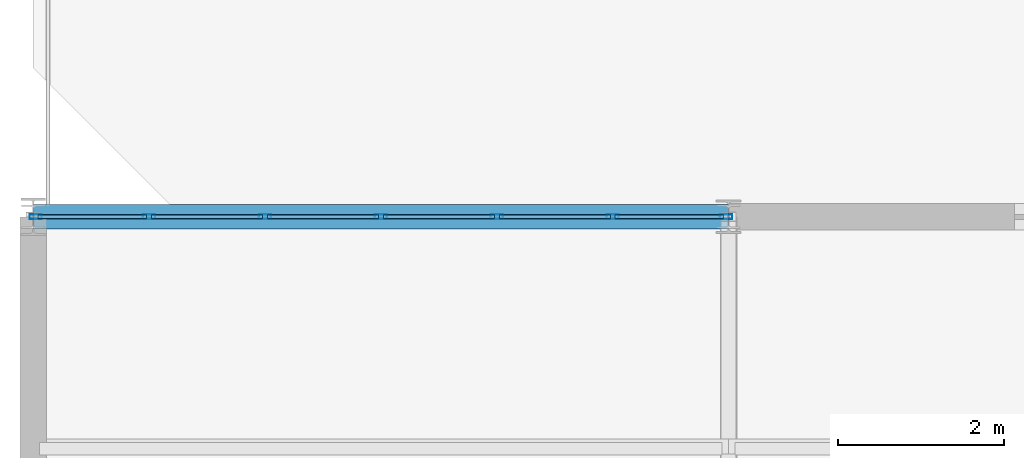
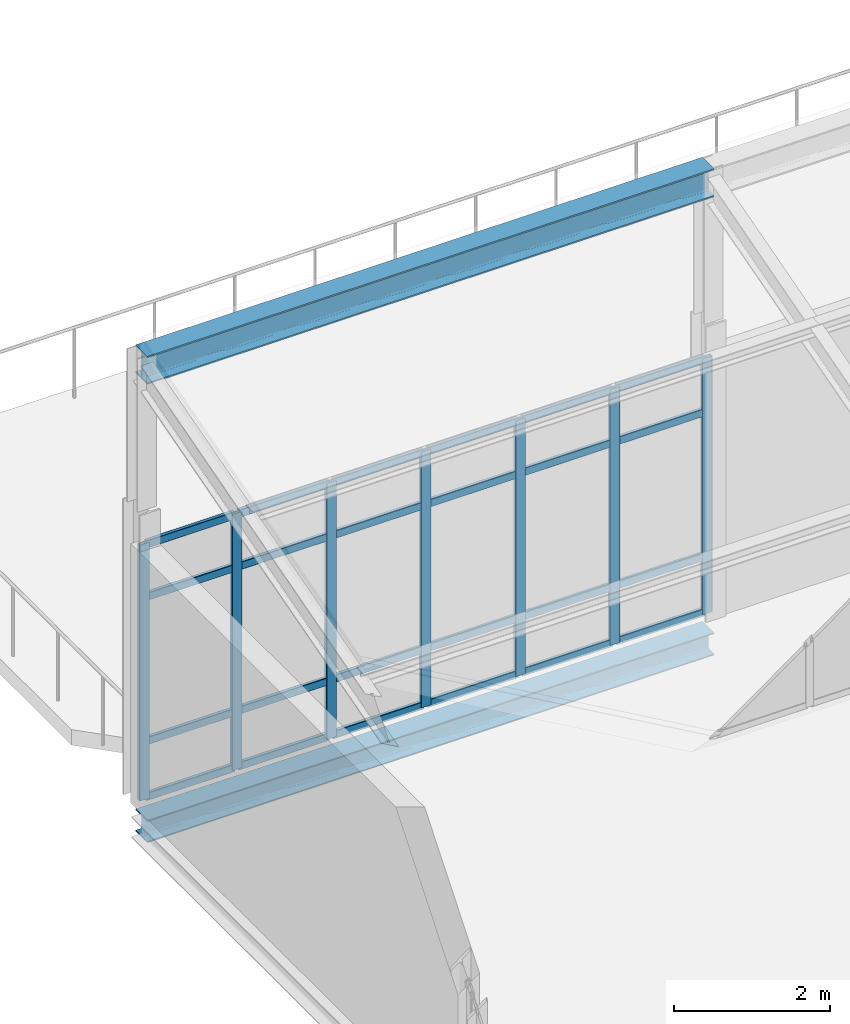
# One storey, part 41 of 53: 31 members, 2 beams, 1 element without a shape of its own.
"""IFC4 building model written with IfcOpenShell, lengths in metres."""

from ifc_helpers import new_model, si_unit, direction, frame, origin, origin_2d, place, context, subcontext, project, spatial, hollow_rectangle, i_section, extrude, material, layer, layer_set, material_profile, profile_set, type_object, element, aggregate, save


model = new_model("IFC4")

# Units and contexts
model_context = context("Model", 3, precision=1e-05, world=origin(), true_north=direction((0.0, 1.0)))
body_context = subcontext(model_context, "Body", "Model", "MODEL_VIEW")
ifc_project = project(units=[si_unit("LENGTHUNIT", "METRE"), si_unit("AREAUNIT", "SQUARE_METRE"), si_unit("VOLUMEUNIT", "CUBIC_METRE"), si_unit("PLANEANGLEUNIT", "RADIAN"), si_unit("MASSUNIT", "GRAM", prefix="KILO")], contexts=[model_context])

# Site, building, storey
site_placement = place(None, origin())
site = spatial("IfcSite", under=ifc_project, at=site_placement, CompositionType="ELEMENT")
building_placement = place(site_placement, origin())
building = spatial("IfcBuilding", under=site, at=building_placement, Name="Qalvenar Corner Mobility Hub", CompositionType="ELEMENT")
storey_placement = place(building_placement, frame((0.0, 0.0, 26.39990234375)))
storey = spatial("IfcBuildingStorey", under=building, at=storey_placement, Name="L06", CompositionType="ELEMENT", Elevation=26.39990234375)

# Beams
ifc_material_1 = material(Name="Steel S355", Category="steel")
ifc_material_profile_1 = material_profile(ifc_material_1, i_section(OverallWidth=0.300048828125, OverallDepth=0.43994140625, WebThickness=0.011474609375, FlangeThickness=0.02099609375, FilletRadius=0.027099609375, at=origin_2d()), Name="HEA450")
ifc_profile_set_1 = profile_set([ifc_material_profile_1], Name="Steel S355")
beam_type_1 = type_object("IfcBeamType", Name="BM-HEA450", PredefinedType="BEAM", material=ifc_profile_set_1)
beam_1_placement = place(storey_placement, frame((0.0, 33.60009765625, 6.81005859375), z_axis=(1.0, 0.0, 0.0), x_axis=(0.0, 1.0, 0.0)))
element("IfcBeam", 1, at=beam_1_placement, inside=storey, type_object=beam_type_1, Name="Sawtooth Ridge Girder V3RDG-4-1", PredefinedType="BEAM", context=body_context, shape_type="SweptSolid", body=[
    extrude(i_section(OverallWidth=0.300048828125, OverallDepth=0.43994140625, WebThickness=0.011474609375, FlangeThickness=0.02099609375, FilletRadius=0.027099609375, at=origin_2d()), origin(), (0.0, 0.0, 1.0), 8.39990234375),
])
ifc_material_profile_2 = material_profile(ifc_material_1, i_section(OverallWidth=0.300048828125, OverallDepth=0.35009765625, WebThickness=0.010009765625, FlangeThickness=0.017578125, FilletRadius=0.027099609375, at=origin_2d()), Name="HEA360")
ifc_profile_set_2 = profile_set([ifc_material_profile_2], Name="Steel S355")
beam_type_2 = type_object("IfcBeamType", Name="BM-SPN360", PredefinedType="SPANDREL", material=ifc_profile_set_2)
beam_2_placement = place(storey_placement, frame((0.0, 33.60009765625, -0.4169921875), z_axis=(1.0, 0.0, 0.0), x_axis=(0.0, 1.0, 0.0)))
element("IfcBeam", 2, at=beam_2_placement, inside=storey, type_object=beam_type_2, Name="Primary Steel Girder GX-3072", PredefinedType="SPANDREL", context=body_context, shape_type="SweptSolid", body=[
    extrude(i_section(OverallWidth=0.300048828125, OverallDepth=0.35009765625, WebThickness=0.010009765625, FlangeThickness=0.017578125, FilletRadius=0.027099609375, at=origin_2d()), origin(), (0.0, 0.0, 1.0), 8.39990234375),
])

# Curtain wall, members
ifc_material_2 = material(Name="Anodised Aluminium and Low-E Glazing", Category="aluminium")
ifc_layer = layer(ifc_material_2, 0.14990234375)
ifc_layer_set = layer_set([ifc_layer], Name="Anodised Aluminium and Low-E Glazing")
curtain_wall_type = type_object("IfcCurtainWallType", Name="CW-CIV-84X40", PredefinedType="NOTDEFINED", material=ifc_layer_set)
curtain_wall_placement = place(storey_placement, origin())
curtain_wall = element("IfcCurtainWall", 3, at=curtain_wall_placement, inside=storey, type_object=curtain_wall_type, Name="Glazed Curtain Wall CW-V3-L06-N0", PredefinedType="NOTDEFINED")
ifc_material_3 = material(Name="Anodised Aluminium 6063-T6", Category="aluminium")
ifc_material_profile_3 = material_profile(ifc_material_3, hollow_rectangle(XDim=0.06005859375, YDim=0.14990234375, WallThickness=0.00390625, InnerFilletRadius=0.00390625, OuterFilletRadius=0.008056640625, at=origin_2d()), Name="RHS150x60x4")
ifc_profile_set_3 = profile_set([ifc_material_profile_3], Name="Anodised Aluminium 6063-T6")
member_type_1 = type_object("IfcMemberType", Name="CW-MUL150", PredefinedType="MULLION", material=ifc_profile_set_3)
member_1_placement = place(storey_placement, frame((8.3701171875, 33.60009765625, 0.0), z_axis=(0.0, 0.0, 1.0), x_axis=(0.0, -1.0, 0.0)))
member_1 = element("IfcMember", 4, at=member_1_placement, type_object=member_type_1, Name="CW-05 mullion 1", PredefinedType="MULLION", context=body_context, shape_type="SweptSolid", body=[
    extrude(hollow_rectangle(XDim=0.06005859375, YDim=0.14990234375, WallThickness=0.00390625, InnerFilletRadius=0.00390625, OuterFilletRadius=0.008056640625, at=origin_2d()), origin(), (0.0, 0.0, 1.0), 4.010009765625),
])
member_2_placement = place(storey_placement, frame((7.0, 33.60009765625, 0.0), z_axis=(0.0, 0.0, 1.0), x_axis=(0.0, -1.0, 0.0)))
member_2 = element("IfcMember", 5, at=member_2_placement, type_object=member_type_1, Name="CW-05 mullion 2", PredefinedType="MULLION", context=body_context, shape_type="SweptSolid", body=[
    extrude(hollow_rectangle(XDim=0.06005859375, YDim=0.14990234375, WallThickness=0.00390625, InnerFilletRadius=0.00390625, OuterFilletRadius=0.008056640625, at=origin_2d()), origin(), (0.0, 0.0, 1.0), 4.010009765625),
])
member_3_placement = place(storey_placement, frame((5.60009765625, 33.60009765625, 0.0), z_axis=(0.0, 0.0, 1.0), x_axis=(0.0, -1.0, 0.0)))
member_3 = element("IfcMember", 6, at=member_3_placement, type_object=member_type_1, Name="CW-05 mullion 3", PredefinedType="MULLION", context=body_context, shape_type="SweptSolid", body=[
    extrude(hollow_rectangle(XDim=0.06005859375, YDim=0.14990234375, WallThickness=0.00390625, InnerFilletRadius=0.00390625, OuterFilletRadius=0.008056640625, at=origin_2d()), origin(), (0.0, 0.0, 1.0), 4.010009765625),
])
member_4_placement = place(storey_placement, frame((4.199951171875, 33.60009765625, 0.0), z_axis=(0.0, 0.0, 1.0), x_axis=(0.0, -1.0, 0.0)))
member_4 = element("IfcMember", 7, at=member_4_placement, type_object=member_type_1, Name="CW-05 mullion 4", PredefinedType="MULLION", context=body_context, shape_type="SweptSolid", body=[
    extrude(hollow_rectangle(XDim=0.06005859375, YDim=0.14990234375, WallThickness=0.00390625, InnerFilletRadius=0.00390625, OuterFilletRadius=0.008056640625, at=origin_2d()), origin(), (0.0, 0.0, 1.0), 4.010009765625),
])
member_5_placement = place(storey_placement, frame((2.800048828125, 33.60009765625, 0.0), z_axis=(0.0, 0.0, 1.0), x_axis=(0.0, -1.0, 0.0)))
member_5 = element("IfcMember", 8, at=member_5_placement, type_object=member_type_1, Name="CW-05 mullion 5", PredefinedType="MULLION", context=body_context, shape_type="SweptSolid", body=[
    extrude(hollow_rectangle(XDim=0.06005859375, YDim=0.14990234375, WallThickness=0.00390625, InnerFilletRadius=0.00390625, OuterFilletRadius=0.008056640625, at=origin_2d()), origin(), (0.0, 0.0, 1.0), 4.010009765625),
])
member_6_placement = place(storey_placement, frame((1.39990234375, 33.60009765625, 0.0), z_axis=(0.0, 0.0, 1.0), x_axis=(0.0, -1.0, 0.0)))
member_6 = element("IfcMember", 9, at=member_6_placement, type_object=member_type_1, Name="CW-05 mullion 6", PredefinedType="MULLION", context=body_context, shape_type="SweptSolid", body=[
    extrude(hollow_rectangle(XDim=0.06005859375, YDim=0.14990234375, WallThickness=0.00390625, InnerFilletRadius=0.00390625, OuterFilletRadius=0.008056640625, at=origin_2d()), origin(), (0.0, 0.0, 1.0), 4.010009765625),
])
member_7_placement = place(storey_placement, frame((0.030029296875, 33.60009765625, 0.0), z_axis=(0.0, 0.0, 1.0), x_axis=(0.0, -1.0, 0.0)))
member_7 = element("IfcMember", 10, at=member_7_placement, type_object=member_type_1, Name="CW-05 mullion 7", PredefinedType="MULLION", context=body_context, shape_type="SweptSolid", body=[
    extrude(hollow_rectangle(XDim=0.06005859375, YDim=0.14990234375, WallThickness=0.00390625, InnerFilletRadius=0.00390625, OuterFilletRadius=0.008056640625, at=origin_2d()), origin(), (0.0, 0.0, 1.0), 4.010009765625),
])
ifc_material_profile_4 = material_profile(ifc_material_3, hollow_rectangle(XDim=0.054931640625, YDim=0.1201171875, WallThickness=0.00341796875, InnerFilletRadius=0.00341796875, OuterFilletRadius=0.007080078125, at=origin_2d()), Name="RHS120x55x3.5")
ifc_profile_set_4 = profile_set([ifc_material_profile_4], Name="Anodised Aluminium 6063-T6")
member_type_2 = type_object("IfcMemberType", Name="CW-TRN120", PredefinedType="USERDEFINED", material=ifc_profile_set_4)
member_8_placement = place(storey_placement, frame((8.340087890625, 33.60009765625, 0.027587890625), z_axis=(-1.0, 0.0, 0.0), x_axis=(0.0, -1.0, 0.0)))
member_8 = element("IfcMember", 11, at=member_8_placement, type_object=member_type_2, Name="CW-05 transom 1.1", ObjectType="TRANSOM", PredefinedType="USERDEFINED", context=body_context, shape_type="SweptSolid", body=[
    extrude(hollow_rectangle(XDim=0.054931640625, YDim=0.1201171875, WallThickness=0.00341796875, InnerFilletRadius=0.00341796875, OuterFilletRadius=0.007080078125, at=origin_2d()), origin(), (0.0, 0.0, 1.0), 1.31005859375),
])
member_9_placement = place(storey_placement, frame((8.340087890625, 33.60009765625, 0.900146484375), z_axis=(-1.0, 0.0, 0.0), x_axis=(0.0, -1.0, 0.0)))
member_9 = element("IfcMember", 12, at=member_9_placement, type_object=member_type_2, Name="CW-05 transom 1.2", ObjectType="TRANSOM", PredefinedType="USERDEFINED", context=body_context, shape_type="SweptSolid", body=[
    extrude(hollow_rectangle(XDim=0.054931640625, YDim=0.1201171875, WallThickness=0.00341796875, InnerFilletRadius=0.00341796875, OuterFilletRadius=0.007080078125, at=origin_2d()), origin(), (0.0, 0.0, 1.0), 1.31005859375),
])
member_10_placement = place(storey_placement, frame((8.340087890625, 33.60009765625, 3.16015625), z_axis=(-1.0, 0.0, 0.0), x_axis=(0.0, -1.0, 0.0)))
member_10 = element("IfcMember", 13, at=member_10_placement, type_object=member_type_2, Name="CW-05 transom 1.3", ObjectType="TRANSOM", PredefinedType="USERDEFINED", context=body_context, shape_type="SweptSolid", body=[
    extrude(hollow_rectangle(XDim=0.054931640625, YDim=0.1201171875, WallThickness=0.00341796875, InnerFilletRadius=0.00341796875, OuterFilletRadius=0.007080078125, at=origin_2d()), origin(), (0.0, 0.0, 1.0), 1.31005859375),
])
member_11_placement = place(storey_placement, frame((8.340087890625, 33.60009765625, 3.982666015625), z_axis=(-1.0, 0.0, 0.0), x_axis=(0.0, -1.0, 0.0)))
member_11 = element("IfcMember", 14, at=member_11_placement, type_object=member_type_2, Name="CW-05 transom 1.4", ObjectType="TRANSOM", PredefinedType="USERDEFINED", context=body_context, shape_type="SweptSolid", body=[
    extrude(hollow_rectangle(XDim=0.054931640625, YDim=0.1201171875, WallThickness=0.00341796875, InnerFilletRadius=0.00341796875, OuterFilletRadius=0.007080078125, at=origin_2d()), origin(), (0.0, 0.0, 1.0), 1.31005859375),
])
member_12_placement = place(storey_placement, frame((6.969970703125, 33.60009765625, 0.027587890625), z_axis=(-1.0, 0.0, 0.0), x_axis=(0.0, -1.0, 0.0)))
member_12 = element("IfcMember", 15, at=member_12_placement, type_object=member_type_2, Name="CW-05 transom 2.1", ObjectType="TRANSOM", PredefinedType="USERDEFINED", context=body_context, shape_type="SweptSolid", body=[
    extrude(hollow_rectangle(XDim=0.054931640625, YDim=0.1201171875, WallThickness=0.00341796875, InnerFilletRadius=0.00341796875, OuterFilletRadius=0.007080078125, at=origin_2d()), origin(), (0.0, 0.0, 1.0), 1.340087890625),
])
member_13_placement = place(storey_placement, frame((6.969970703125, 33.60009765625, 0.900146484375), z_axis=(-1.0, 0.0, 0.0), x_axis=(0.0, -1.0, 0.0)))
member_13 = element("IfcMember", 16, at=member_13_placement, type_object=member_type_2, Name="CW-05 transom 2.2", ObjectType="TRANSOM", PredefinedType="USERDEFINED", context=body_context, shape_type="SweptSolid", body=[
    extrude(hollow_rectangle(XDim=0.054931640625, YDim=0.1201171875, WallThickness=0.00341796875, InnerFilletRadius=0.00341796875, OuterFilletRadius=0.007080078125, at=origin_2d()), origin(), (0.0, 0.0, 1.0), 1.340087890625),
])
member_14_placement = place(storey_placement, frame((6.969970703125, 33.60009765625, 3.16015625), z_axis=(-1.0, 0.0, 0.0), x_axis=(0.0, -1.0, 0.0)))
member_14 = element("IfcMember", 17, at=member_14_placement, type_object=member_type_2, Name="CW-05 transom 2.3", ObjectType="TRANSOM", PredefinedType="USERDEFINED", context=body_context, shape_type="SweptSolid", body=[
    extrude(hollow_rectangle(XDim=0.054931640625, YDim=0.1201171875, WallThickness=0.00341796875, InnerFilletRadius=0.00341796875, OuterFilletRadius=0.007080078125, at=origin_2d()), origin(), (0.0, 0.0, 1.0), 1.340087890625),
])
member_15_placement = place(storey_placement, frame((6.969970703125, 33.60009765625, 3.982666015625), z_axis=(-1.0, 0.0, 0.0), x_axis=(0.0, -1.0, 0.0)))
member_15 = element("IfcMember", 18, at=member_15_placement, type_object=member_type_2, Name="CW-05 transom 2.4", ObjectType="TRANSOM", PredefinedType="USERDEFINED", context=body_context, shape_type="SweptSolid", body=[
    extrude(hollow_rectangle(XDim=0.054931640625, YDim=0.1201171875, WallThickness=0.00341796875, InnerFilletRadius=0.00341796875, OuterFilletRadius=0.007080078125, at=origin_2d()), origin(), (0.0, 0.0, 1.0), 1.340087890625),
])
member_16_placement = place(storey_placement, frame((5.570068359375, 33.60009765625, 0.027587890625), z_axis=(-1.0, 0.0, 0.0), x_axis=(0.0, -1.0, 0.0)))
member_16 = element("IfcMember", 19, at=member_16_placement, type_object=member_type_2, Name="CW-05 transom 3.1", ObjectType="TRANSOM", PredefinedType="USERDEFINED", context=body_context, shape_type="SweptSolid", body=[
    extrude(hollow_rectangle(XDim=0.054931640625, YDim=0.1201171875, WallThickness=0.00341796875, InnerFilletRadius=0.00341796875, OuterFilletRadius=0.007080078125, at=origin_2d()), origin(), (0.0, 0.0, 1.0), 1.340087890625),
])
member_17_placement = place(storey_placement, frame((5.570068359375, 33.60009765625, 0.900146484375), z_axis=(-1.0, 0.0, 0.0), x_axis=(0.0, -1.0, 0.0)))
member_17 = element("IfcMember", 20, at=member_17_placement, type_object=member_type_2, Name="CW-05 transom 3.2", ObjectType="TRANSOM", PredefinedType="USERDEFINED", context=body_context, shape_type="SweptSolid", body=[
    extrude(hollow_rectangle(XDim=0.054931640625, YDim=0.1201171875, WallThickness=0.00341796875, InnerFilletRadius=0.00341796875, OuterFilletRadius=0.007080078125, at=origin_2d()), origin(), (0.0, 0.0, 1.0), 1.340087890625),
])
member_18_placement = place(storey_placement, frame((5.570068359375, 33.60009765625, 3.16015625), z_axis=(-1.0, 0.0, 0.0), x_axis=(0.0, -1.0, 0.0)))
member_18 = element("IfcMember", 21, at=member_18_placement, type_object=member_type_2, Name="CW-05 transom 3.3", ObjectType="TRANSOM", PredefinedType="USERDEFINED", context=body_context, shape_type="SweptSolid", body=[
    extrude(hollow_rectangle(XDim=0.054931640625, YDim=0.1201171875, WallThickness=0.00341796875, InnerFilletRadius=0.00341796875, OuterFilletRadius=0.007080078125, at=origin_2d()), origin(), (0.0, 0.0, 1.0), 1.340087890625),
])
member_19_placement = place(storey_placement, frame((5.570068359375, 33.60009765625, 3.982666015625), z_axis=(-1.0, 0.0, 0.0), x_axis=(0.0, -1.0, 0.0)))
member_19 = element("IfcMember", 22, at=member_19_placement, type_object=member_type_2, Name="CW-05 transom 3.4", ObjectType="TRANSOM", PredefinedType="USERDEFINED", context=body_context, shape_type="SweptSolid", body=[
    extrude(hollow_rectangle(XDim=0.054931640625, YDim=0.1201171875, WallThickness=0.00341796875, InnerFilletRadius=0.00341796875, OuterFilletRadius=0.007080078125, at=origin_2d()), origin(), (0.0, 0.0, 1.0), 1.340087890625),
])
member_20_placement = place(storey_placement, frame((4.169921875, 33.60009765625, 0.027587890625), z_axis=(-1.0, 0.0, 0.0), x_axis=(0.0, -1.0, 0.0)))
member_20 = element("IfcMember", 23, at=member_20_placement, type_object=member_type_2, Name="CW-05 transom 4.1", ObjectType="TRANSOM", PredefinedType="USERDEFINED", context=body_context, shape_type="SweptSolid", body=[
    extrude(hollow_rectangle(XDim=0.054931640625, YDim=0.1201171875, WallThickness=0.00341796875, InnerFilletRadius=0.00341796875, OuterFilletRadius=0.007080078125, at=origin_2d()), origin(), (0.0, 0.0, 1.0), 1.33984375),
])
member_21_placement = place(storey_placement, frame((4.169921875, 33.60009765625, 0.900146484375), z_axis=(-1.0, 0.0, 0.0), x_axis=(0.0, -1.0, 0.0)))
member_21 = element("IfcMember", 24, at=member_21_placement, type_object=member_type_2, Name="CW-05 transom 4.2", ObjectType="TRANSOM", PredefinedType="USERDEFINED", context=body_context, shape_type="SweptSolid", body=[
    extrude(hollow_rectangle(XDim=0.054931640625, YDim=0.1201171875, WallThickness=0.00341796875, InnerFilletRadius=0.00341796875, OuterFilletRadius=0.007080078125, at=origin_2d()), origin(), (0.0, 0.0, 1.0), 1.33984375),
])
member_22_placement = place(storey_placement, frame((4.169921875, 33.60009765625, 3.16015625), z_axis=(-1.0, 0.0, 0.0), x_axis=(0.0, -1.0, 0.0)))
member_22 = element("IfcMember", 25, at=member_22_placement, type_object=member_type_2, Name="CW-05 transom 4.3", ObjectType="TRANSOM", PredefinedType="USERDEFINED", context=body_context, shape_type="SweptSolid", body=[
    extrude(hollow_rectangle(XDim=0.054931640625, YDim=0.1201171875, WallThickness=0.00341796875, InnerFilletRadius=0.00341796875, OuterFilletRadius=0.007080078125, at=origin_2d()), origin(), (0.0, 0.0, 1.0), 1.33984375),
])
member_23_placement = place(storey_placement, frame((4.169921875, 33.60009765625, 3.982666015625), z_axis=(-1.0, 0.0, 0.0), x_axis=(0.0, -1.0, 0.0)))
member_23 = element("IfcMember", 26, at=member_23_placement, type_object=member_type_2, Name="CW-05 transom 4.4", ObjectType="TRANSOM", PredefinedType="USERDEFINED", context=body_context, shape_type="SweptSolid", body=[
    extrude(hollow_rectangle(XDim=0.054931640625, YDim=0.1201171875, WallThickness=0.00341796875, InnerFilletRadius=0.00341796875, OuterFilletRadius=0.007080078125, at=origin_2d()), origin(), (0.0, 0.0, 1.0), 1.33984375),
])
member_24_placement = place(storey_placement, frame((2.77001953125, 33.60009765625, 0.027587890625), z_axis=(-1.0, 0.0, 0.0), x_axis=(0.0, -1.0, 0.0)))
member_24 = element("IfcMember", 27, at=member_24_placement, type_object=member_type_2, Name="CW-05 transom 5.1", ObjectType="TRANSOM", PredefinedType="USERDEFINED", context=body_context, shape_type="SweptSolid", body=[
    extrude(hollow_rectangle(XDim=0.054931640625, YDim=0.1201171875, WallThickness=0.00341796875, InnerFilletRadius=0.00341796875, OuterFilletRadius=0.007080078125, at=origin_2d()), origin(), (0.0, 0.0, 1.0), 1.340087890625),
])
member_25_placement = place(storey_placement, frame((2.77001953125, 33.60009765625, 0.900146484375), z_axis=(-1.0, 0.0, 0.0), x_axis=(0.0, -1.0, 0.0)))
member_25 = element("IfcMember", 28, at=member_25_placement, type_object=member_type_2, Name="CW-05 transom 5.2", ObjectType="TRANSOM", PredefinedType="USERDEFINED", context=body_context, shape_type="SweptSolid", body=[
    extrude(hollow_rectangle(XDim=0.054931640625, YDim=0.1201171875, WallThickness=0.00341796875, InnerFilletRadius=0.00341796875, OuterFilletRadius=0.007080078125, at=origin_2d()), origin(), (0.0, 0.0, 1.0), 1.340087890625),
])
member_26_placement = place(storey_placement, frame((2.77001953125, 33.60009765625, 3.16015625), z_axis=(-1.0, 0.0, 0.0), x_axis=(0.0, -1.0, 0.0)))
member_26 = element("IfcMember", 29, at=member_26_placement, type_object=member_type_2, Name="CW-05 transom 5.3", ObjectType="TRANSOM", PredefinedType="USERDEFINED", context=body_context, shape_type="SweptSolid", body=[
    extrude(hollow_rectangle(XDim=0.054931640625, YDim=0.1201171875, WallThickness=0.00341796875, InnerFilletRadius=0.00341796875, OuterFilletRadius=0.007080078125, at=origin_2d()), origin(), (0.0, 0.0, 1.0), 1.340087890625),
])
member_27_placement = place(storey_placement, frame((2.77001953125, 33.60009765625, 3.982666015625), z_axis=(-1.0, 0.0, 0.0), x_axis=(0.0, -1.0, 0.0)))
member_27 = element("IfcMember", 30, at=member_27_placement, type_object=member_type_2, Name="CW-05 transom 5.4", ObjectType="TRANSOM", PredefinedType="USERDEFINED", context=body_context, shape_type="SweptSolid", body=[
    extrude(hollow_rectangle(XDim=0.054931640625, YDim=0.1201171875, WallThickness=0.00341796875, InnerFilletRadius=0.00341796875, OuterFilletRadius=0.007080078125, at=origin_2d()), origin(), (0.0, 0.0, 1.0), 1.340087890625),
])
member_28_placement = place(storey_placement, frame((1.3701171875, 33.60009765625, 0.027587890625), z_axis=(-1.0, 0.0, 0.0), x_axis=(0.0, -1.0, 0.0)))
member_28 = element("IfcMember", 31, at=member_28_placement, type_object=member_type_2, Name="CW-05 transom 6.1", ObjectType="TRANSOM", PredefinedType="USERDEFINED", context=body_context, shape_type="SweptSolid", body=[
    extrude(hollow_rectangle(XDim=0.054931640625, YDim=0.1201171875, WallThickness=0.00341796875, InnerFilletRadius=0.00341796875, OuterFilletRadius=0.007080078125, at=origin_2d()), origin(), (0.0, 0.0, 1.0), 1.31005859375),
])
member_29_placement = place(storey_placement, frame((1.3701171875, 33.60009765625, 0.900146484375), z_axis=(-1.0, 0.0, 0.0), x_axis=(0.0, -1.0, 0.0)))
member_29 = element("IfcMember", 32, at=member_29_placement, type_object=member_type_2, Name="CW-05 transom 6.2", ObjectType="TRANSOM", PredefinedType="USERDEFINED", context=body_context, shape_type="SweptSolid", body=[
    extrude(hollow_rectangle(XDim=0.054931640625, YDim=0.1201171875, WallThickness=0.00341796875, InnerFilletRadius=0.00341796875, OuterFilletRadius=0.007080078125, at=origin_2d()), origin(), (0.0, 0.0, 1.0), 1.31005859375),
])
member_30_placement = place(storey_placement, frame((1.3701171875, 33.60009765625, 3.16015625), z_axis=(-1.0, 0.0, 0.0), x_axis=(0.0, -1.0, 0.0)))
member_30 = element("IfcMember", 33, at=member_30_placement, type_object=member_type_2, Name="CW-05 transom 6.3", ObjectType="TRANSOM", PredefinedType="USERDEFINED", context=body_context, shape_type="SweptSolid", body=[
    extrude(hollow_rectangle(XDim=0.054931640625, YDim=0.1201171875, WallThickness=0.00341796875, InnerFilletRadius=0.00341796875, OuterFilletRadius=0.007080078125, at=origin_2d()), origin(), (0.0, 0.0, 1.0), 1.31005859375),
])
member_31_placement = place(storey_placement, frame((1.3701171875, 33.60009765625, 3.982666015625), z_axis=(-1.0, 0.0, 0.0), x_axis=(0.0, -1.0, 0.0)))
member_31 = element("IfcMember", 34, at=member_31_placement, type_object=member_type_2, Name="CW-05 transom 6.4", ObjectType="TRANSOM", PredefinedType="USERDEFINED", context=body_context, shape_type="SweptSolid", body=[
    extrude(hollow_rectangle(XDim=0.054931640625, YDim=0.1201171875, WallThickness=0.00341796875, InnerFilletRadius=0.00341796875, OuterFilletRadius=0.007080078125, at=origin_2d()), origin(), (0.0, 0.0, 1.0), 1.31005859375),
])
aggregate(curtain_wall, [member_1, member_2, member_3, member_4, member_5, member_6, member_7, member_8, member_9, member_10, member_11, member_12, member_13, member_14, member_15, member_16, member_17, member_18, member_19, member_20, member_21, member_22, member_23, member_24, member_25, member_26, member_27, member_28, member_29, member_30, member_31])

save(model, "model.ifc")
